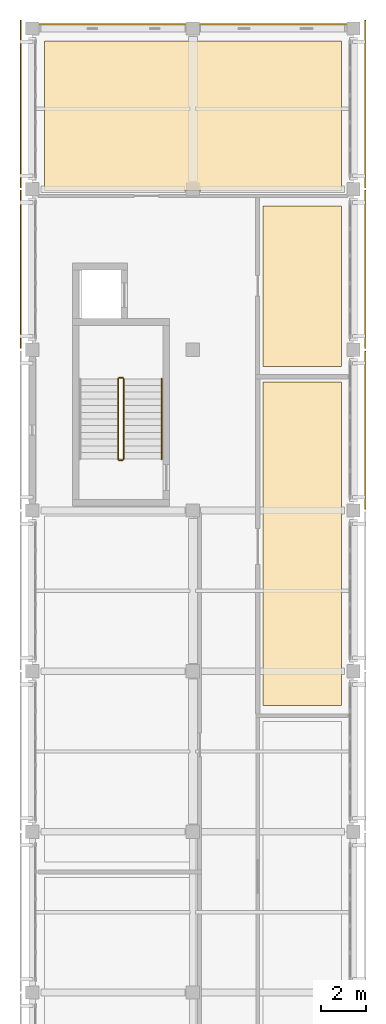
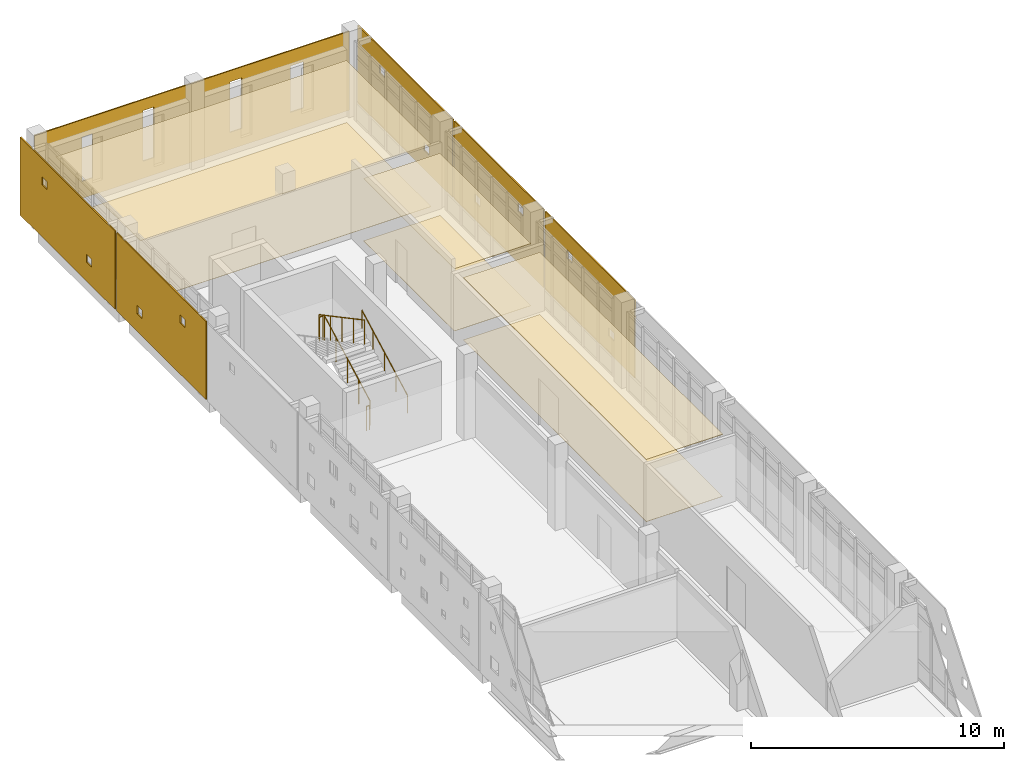
# One storey, part 21 of 21: 12 coverings, 5 railings.
"""IFC4 building model written with IfcOpenShell, lengths in metres."""

from ifc_helpers import new_model, si_unit, direction, frame, origin, origin_2d, place, context, subcontext, project, spatial, polyline, circle, outline, extrude, material, layer, layer_set, type_object, element, save


model = new_model("IFC4")

# Units and contexts
model_context = context("Model", 3, precision=1e-05, world=origin(), true_north=direction((0.0, 1.0)))
body_context = subcontext(model_context, "Body", "Model", "MODEL_VIEW")
ifc_project = project(units=[si_unit("LENGTHUNIT", "METRE"), si_unit("AREAUNIT", "SQUARE_METRE"), si_unit("VOLUMEUNIT", "CUBIC_METRE"), si_unit("PLANEANGLEUNIT", "RADIAN"), si_unit("MASSUNIT", "GRAM", prefix="KILO")], contexts=[model_context])

# Site, building, storey
site_placement = place(None, origin())
site = spatial("IfcSite", under=ifc_project, at=site_placement, CompositionType="ELEMENT")
building_placement = place(site_placement, origin())
building = spatial("IfcBuilding", under=site, at=building_placement, Name="Valkovuoma Quantum and Materials Research Institute", CompositionType="ELEMENT")
storey_placement = place(building_placement, frame((0.0, 0.0, 29.760009765625)))
storey = spatial("IfcBuildingStorey", under=building, at=storey_placement, Name="L07", CompositionType="ELEMENT", Elevation=29.760009765625)

# Coverings
ifc_material_1 = material(Name="Cleanable acoustic mineral-fibre suspended ceiling", Category="masonry")
ifc_layer_1 = layer(ifc_material_1, 0.02490234375)
ifc_layer_set_1 = layer_set([ifc_layer_1], Name="Cleanable acoustic mineral-fibre suspended ceiling")
covering_type_1 = type_object("IfcCoveringType", Name="Cov-CEIL-01", PredefinedType="CEILING", material=ifc_layer_set_1)
covering_1_placement = place(storey_placement, frame((0.0, 0.0, 3.0)))
element("IfcCovering", 1, at=covering_1_placement, inside=storey, type_object=covering_type_1, Name="L07 acoustic ceiling 0150", PredefinedType="CEILING", context=body_context, shape_type="SweptSolid", body=[
    extrude(outline(polyline([(0.550048828125, 86.35009765625), (13.85009765625, 86.35009765625), (13.85009765625, 93.050048828125), (0.550048828125, 93.050048828125), (0.550048828125, 86.35009765625)])), origin(), (0.0, 0.0, 1.0), 0.02490234375),
])
covering_2_placement = place(storey_placement, frame((0.0, 0.0, 3.0)))
element("IfcCovering", 2, at=covering_2_placement, inside=storey, type_object=covering_type_1, Name="L07 acoustic ceiling 0154", PredefinedType="CEILING", context=body_context, shape_type="SweptSolid", body=[
    extrude(outline(polyline([(10.35009765625, 63.25), (13.85009765625, 63.25), (13.85009765625, 77.75), (10.35009765625, 77.75), (10.35009765625, 63.25)])), origin(), (0.0, 0.0, 1.0), 0.02490234375),
])
covering_3_placement = place(storey_placement, frame((0.0, 0.0, 3.0)))
element("IfcCovering", 3, at=covering_3_placement, inside=storey, type_object=covering_type_1, Name="L07 acoustic ceiling 0155", PredefinedType="CEILING", context=body_context, shape_type="SweptSolid", body=[
    extrude(outline(polyline([(10.35009765625, 78.449951171875), (13.85009765625, 78.449951171875), (13.85009765625, 85.64990234375), (10.35009765625, 85.64990234375), (10.35009765625, 78.449951171875)])), origin(), (0.0, 0.0, 1.0), 0.02490234375),
])
ifc_material_2 = material(Name="Seamless dissipative laboratory resin flooring", Category="masonry")
ifc_layer_2 = layer(ifc_material_2, 0.014892578125)
ifc_layer_set_2 = layer_set([ifc_layer_2], Name="Seamless dissipative laboratory resin flooring")
covering_type_2 = type_object("IfcCoveringType", Name="Cov-FLOR-01", PredefinedType="FLOORING", material=ifc_layer_set_2)
covering_4_placement = place(storey_placement, origin())
element("IfcCovering", 4, at=covering_4_placement, inside=storey, type_object=covering_type_2, Name="L07 resin flooring 0150", PredefinedType="FLOORING", context=body_context, shape_type="SweptSolid", body=[
    extrude(outline(polyline([(0.550048828125, 86.35009765625), (13.85009765625, 86.35009765625), (13.85009765625, 93.050048828125), (0.550048828125, 93.050048828125), (0.550048828125, 86.35009765625)])), origin(), (0.0, 0.0, 1.0), 0.014892578125),
])
covering_5_placement = place(storey_placement, origin())
element("IfcCovering", 5, at=covering_5_placement, inside=storey, type_object=covering_type_2, Name="L07 resin flooring 0154", PredefinedType="FLOORING", context=body_context, shape_type="SweptSolid", body=[
    extrude(outline(polyline([(10.35009765625, 63.25), (13.85009765625, 63.25), (13.85009765625, 77.75), (10.35009765625, 77.75), (10.35009765625, 63.25)])), origin(), (0.0, 0.0, 1.0), 0.014892578125),
])
covering_6_placement = place(storey_placement, origin())
element("IfcCovering", 6, at=covering_6_placement, inside=storey, type_object=covering_type_2, Name="L07 resin flooring 0155", PredefinedType="FLOORING", context=body_context, shape_type="SweptSolid", body=[
    extrude(outline(polyline([(10.35009765625, 78.449951171875), (13.85009765625, 78.449951171875), (13.85009765625, 85.64990234375), (10.35009765625, 85.64990234375), (10.35009765625, 78.449951171875)])), origin(), (0.0, 0.0, 1.0), 0.014892578125),
])
ifc_material_3 = material(Name="White powder-coated aluminium architectural panel", Category="aluminium")
ifc_layer_3 = layer(ifc_material_3, 0.054931640625)
ifc_layer_set_3 = layer_set([ifc_layer_3], Name="White powder-coated aluminium architectural panel")
covering_type_3 = type_object("IfcCoveringType", Name="Cov-PERF-SPARSE", PredefinedType="CLADDING", material=ifc_layer_set_3)
covering_7_placement = place(storey_placement, frame((14.919921875, 72.06005859375, 0.02001953125), z_axis=(0.0, 0.0, 1.0), x_axis=(0.0, 1.0, 0.0)))
element("IfcCovering", 7, at=covering_7_placement, inside=storey, type_object=covering_type_3, Name="L07 graduated perforated white screen E-0111", PredefinedType="CLADDING", context=body_context, shape_type="SweptSolid", body=[
    extrude(outline(polyline([(0.0, 0.0), (7.079833984375, 0.0), (7.079833984375, 3.77001953125), (0.0, 3.77001953125), (0.0, 0.0)]), holes=[polyline([(1.635009765625, 0.802490234375), (1.635009765625, 1.202392578125), (2.034912109375, 1.202392578125), (2.034912109375, 0.802490234375), (1.635009765625, 0.802490234375)]), polyline([(4.925048828125, 2.5673828125), (4.925048828125, 2.967529296875), (5.324951171875, 2.967529296875), (5.324951171875, 2.5673828125), (4.925048828125, 2.5673828125)])]), frame((0.0, 0.02734375, 0.0), z_axis=(0.0, -1.0, 0.0), x_axis=(1.0, 0.0, 0.0)), (0.0, 0.0, 1.0), 0.054931640625),
])
for number, where, z_axis, x_axis, name in (
    (8, (-0.52001953125, 79.260009765625, 0.02001953125), (0.0, 0.0, 1.0), (0.0, 1.0, 0.0), "L07 graduated perforated white screen W-0112"),
    (9, (14.919921875, 79.260009765625, 0.02001953125), (0.0, 0.0, 1.0), (0.0, 1.0, 0.0), "L07 graduated perforated white screen E-0113"),
):
    element("IfcCovering", number, at=place(storey_placement, frame(where, z_axis=z_axis, x_axis=x_axis)), inside=storey, type_object=covering_type_3, Name=name, PredefinedType="CLADDING", context=body_context, shape_type="SweptSolid", body=[
        extrude(outline(polyline([(0.0, 0.0), (7.080078125, 0.0), (7.080078125, 3.77001953125), (0.0, 3.77001953125), (0.0, 0.0)]), holes=[polyline([(1.635009765625, 2.467529296875), (1.635009765625, 2.867431640625), (2.034912109375, 2.867431640625), (2.034912109375, 2.467529296875), (1.635009765625, 2.467529296875)]), polyline([(5.044921875, 0.8525390625), (5.044921875, 1.25244140625), (5.445068359375, 1.25244140625), (5.445068359375, 0.8525390625), (5.044921875, 0.8525390625)])]), frame((0.0, 0.02734375, 0.0), z_axis=(0.0, -1.0, 0.0), x_axis=(1.0, 0.0, 0.0)), (0.0, 0.0, 1.0), 0.054931640625),
    ])
for number, where, z_axis, x_axis, name in (
    (10, (-0.52001953125, 86.4599609375, 0.02001953125), (0.0, 0.0, 1.0), (0.0, 1.0, 0.0), "L07 graduated perforated white screen W-0114"),
    (11, (14.919921875, 86.4599609375, 0.02001953125), (0.0, 0.0, 1.0), (0.0, 1.0, 0.0), "L07 graduated perforated white screen E-0115"),
):
    element("IfcCovering", number, at=place(storey_placement, frame(where, z_axis=z_axis, x_axis=x_axis)), inside=storey, type_object=covering_type_3, Name=name, PredefinedType="CLADDING", context=body_context, shape_type="SweptSolid", body=[
        extrude(outline(polyline([(0.0, 0.0), (7.52001953125, 0.0), (7.52001953125, 3.77001953125), (0.0, 3.77001953125), (0.0, 0.0)]), holes=[polyline([(1.864990234375, 0.902587890625), (1.864990234375, 1.302490234375), (2.264892578125, 1.302490234375), (2.264892578125, 0.902587890625), (1.864990234375, 0.902587890625)]), polyline([(5.375, 2.517578125), (5.375, 2.91748046875), (5.77490234375, 2.91748046875), (5.77490234375, 2.517578125), (5.375, 2.517578125)])]), frame((0.0, 0.02734375, 0.0), z_axis=(0.0, -1.0, 0.0), x_axis=(1.0, 0.0, 0.0)), (0.0, 0.0, 1.0), 0.054931640625),
    ])
ifc_material_4 = material(Name="White powder-coated aluminium architectural panel", Category="aluminium")
ifc_layer_4 = layer(ifc_material_4, 0.054931640625)
ifc_layer_set_4 = layer_set([ifc_layer_4], Name="White powder-coated aluminium architectural panel")
covering_type_4 = type_object("IfcCoveringType", Name="Cov-WHITE-01", PredefinedType="CLADDING", material=ifc_layer_set_4)
covering_8_placement = place(storey_placement, frame((0.0, 93.78759765625, 0.0), z_axis=(0.0, 0.0, 1.0), x_axis=(1.0, 0.0, 0.0)))
element("IfcCovering", 12, at=covering_8_placement, inside=storey, type_object=covering_type_4, Name="L07 north white slot-window end skin", PredefinedType="CLADDING", context=body_context, shape_type="SweptSolid", body=[
    extrude(outline(polyline([(0.0, 0.0), (14.39990234375, 0.0), (14.39990234375, 3.81005859375), (0.0, 3.81005859375), (0.0, 0.0)]), holes=[polyline([(2.155029296875, 0.830078125), (2.155029296875, 2.969970703125), (2.64501953125, 2.969970703125), (2.64501953125, 0.830078125), (2.155029296875, 0.830078125)]), polyline([(4.955078125, 0.830078125), (4.955078125, 3.27001953125), (5.445068359375, 3.27001953125), (5.445068359375, 0.830078125), (4.955078125, 0.830078125)]), polyline([(8.929931640625, 0.830078125), (8.929931640625, 3.27001953125), (9.469970703125, 3.27001953125), (9.469970703125, 0.830078125), (8.929931640625, 0.830078125)]), polyline([(11.705078125, 0.830078125), (11.705078125, 3.070068359375), (12.294921875, 3.070068359375), (12.294921875, 0.830078125), (11.705078125, 0.830078125)])]), frame((0.0, 0.02734375, 0.0), z_axis=(0.0, -1.0, 0.0), x_axis=(1.0, 0.0, 0.0)), (0.0, 0.0, 1.0), 0.054931640625),
])

# Railings
ifc_material_5 = material(Name="Painted steel stair balustrade", Category="steel")
railing_type_1 = type_object("IfcRailingType", Name="Rail-GRD-ST", PredefinedType="BALUSTRADE", material=ifc_material_5)
railing_1_placement = place(storey_placement, frame((4.10009765625, 74.300048828125, 0.159912109375)))
element("IfcRailing", 13, at=railing_1_placement, inside=storey, type_object=railing_type_1, Name="L07 ST-2 stair guard 1", PredefinedType="BALUSTRADE", context=body_context, shape_type="SweptSolid", body=[
    extrude(circle(Radius=0.02392578125, at=origin_2d()), frame((0.0, 0.0, 1.17578125), z_axis=(0.0, 0.882328093246, 0.470634822203), x_axis=(-1.0, 0.0, 0.0)), (0.0, 0.0, 1.0), 4.079833984375),
    extrude(circle(Radius=0.02099609375, at=origin_2d()), origin(), (0.0, 0.0, 1.0), 1.15185546875),
    extrude(circle(Radius=0.02099609375, at=origin_2d()), frame((0.0, 0.89990234375, 0.47998046875)), (0.0, 0.0, 1.0), 1.15185546875),
    extrude(circle(Radius=0.02099609375, at=origin_2d()), frame((0.0, 1.7998046875, 0.9599609375)), (0.0, 0.0, 1.0), 1.15185546875),
    extrude(circle(Radius=0.02099609375, at=origin_2d()), frame((0.0, 2.699951171875, 1.440185546875)), (0.0, 0.0, 1.0), 1.15185546875),
    extrude(circle(Radius=0.02099609375, at=origin_2d()), frame((0.0, 3.599853515625, 1.920166015625)), (0.0, 0.0, 1.0), 1.15185546875),
])
railing_2_placement = place(storey_placement, frame((4.050048828125, 77.949951171875, 2.080078125)))
element("IfcRailing", 14, at=railing_2_placement, inside=storey, type_object=railing_type_1, Name="L07 ST-2 stair guard 2", PredefinedType="BALUSTRADE", context=body_context, shape_type="SweptSolid", body=[
    extrude(circle(Radius=0.02392578125, at=origin_2d()), frame((0.0, 0.0, 1.17578125), z_axis=(-1.0, 0.0, 0.0), x_axis=(0.0, -1.0, 0.0)), (0.0, 0.0, 1.0), 0.150146484375),
    extrude(circle(Radius=0.02099609375, at=origin_2d()), origin(), (0.0, 0.0, 1.0), 1.15185546875),
    extrude(circle(Radius=0.02099609375, at=origin_2d()), frame((-0.150146484375, 0.0, 0.0)), (0.0, 0.0, 1.0), 1.15185546875),
])
railing_3_placement = place(storey_placement, frame((3.85009765625, 77.89990234375, 2.239990234375)))
element("IfcRailing", 15, at=railing_3_placement, inside=storey, type_object=railing_type_1, Name="L07 ST-2 stair guard 3", PredefinedType="BALUSTRADE", context=body_context, shape_type="SweptSolid", body=[
    extrude(circle(Radius=0.02392578125, at=origin_2d()), frame((0.0, 0.0, 1.17578125), z_axis=(0.0, -0.882352941176, 0.470588235294), x_axis=(1.0, 0.0, 0.0)), (0.0, 0.0, 1.0), 4.079833984375),
    extrude(circle(Radius=0.02099609375, at=origin_2d()), origin(), (0.0, 0.0, 1.0), 1.15185546875),
    extrude(circle(Radius=0.02099609375, at=origin_2d()), frame((0.0, -0.89990234375, 0.47998046875)), (0.0, 0.0, 1.0), 1.15185546875),
    extrude(circle(Radius=0.02099609375, at=origin_2d()), frame((0.0, -1.7998046875, 0.9599609375)), (0.0, 0.0, 1.0), 1.15185546875),
    extrude(circle(Radius=0.02099609375, at=origin_2d()), frame((0.0, -2.699951171875, 1.43994140625)), (0.0, 0.0, 1.0), 1.15185546875),
    extrude(circle(Radius=0.02099609375, at=origin_2d()), frame((0.0, -3.599853515625, 1.919921875)), (0.0, 0.0, 1.0), 1.15185546875),
])
railing_4_placement = place(storey_placement, frame((4.050048828125, 74.25, 0.0)))
element("IfcRailing", 16, at=railing_4_placement, inside=storey, type_object=railing_type_1, Name="L07 ST-2 stair guard 4", PredefinedType="BALUSTRADE", context=body_context, shape_type="SweptSolid", body=[
    extrude(circle(Radius=0.02392578125, at=origin_2d()), frame((0.0, 0.0, 1.17578125), z_axis=(-1.0, 0.0, 0.0), x_axis=(0.0, -1.0, 0.0)), (0.0, 0.0, 1.0), 0.150146484375),
    extrude(circle(Radius=0.02099609375, at=origin_2d()), origin(), (0.0, 0.0, 1.0), 1.15185546875),
    extrude(circle(Radius=0.02099609375, at=origin_2d()), frame((-0.150146484375, 0.0, 0.0)), (0.0, 0.0, 1.0), 1.15185546875),
])
ifc_material_6 = material(Name="Brushed stainless steel handrail", Category="steel")
railing_type_2 = type_object("IfcRailingType", Name="Rail-HR-ST", PredefinedType="HANDRAIL", material=ifc_material_6)
railing_5_placement = place(storey_placement, frame((5.800048828125, 74.300048828125, 0.159912109375)))
element("IfcRailing", 17, at=railing_5_placement, inside=storey, type_object=railing_type_2, Name="L07 ST-2 stair handrail 1", PredefinedType="HANDRAIL", context=body_context, shape_type="SweptSolid", body=[
    extrude(circle(Radius=0.02392578125, at=origin_2d()), frame((0.0, 0.0, 0.8759765625), z_axis=(0.0, 0.882328093246, 0.470634822203), x_axis=(-1.0, 0.0, 0.0)), (0.0, 0.0, 1.0), 4.079833984375),
    extrude(circle(Radius=0.02099609375, at=origin_2d()), origin(), (0.0, 0.0, 1.0), 0.851806640625),
    extrude(circle(Radius=0.02099609375, at=origin_2d()), frame((0.0, 0.89990234375, 0.47998046875)), (0.0, 0.0, 1.0), 0.851806640625),
    extrude(circle(Radius=0.02099609375, at=origin_2d()), frame((0.0, 1.7998046875, 0.9599609375)), (0.0, 0.0, 1.0), 0.851806640625),
    extrude(circle(Radius=0.02099609375, at=origin_2d()), frame((0.0, 2.699951171875, 1.440185546875)), (0.0, 0.0, 1.0), 0.851806640625),
    extrude(circle(Radius=0.02099609375, at=origin_2d()), frame((0.0, 3.599853515625, 1.920166015625)), (0.0, 0.0, 1.0), 0.851806640625),
])

save(model, "model.ifc")
